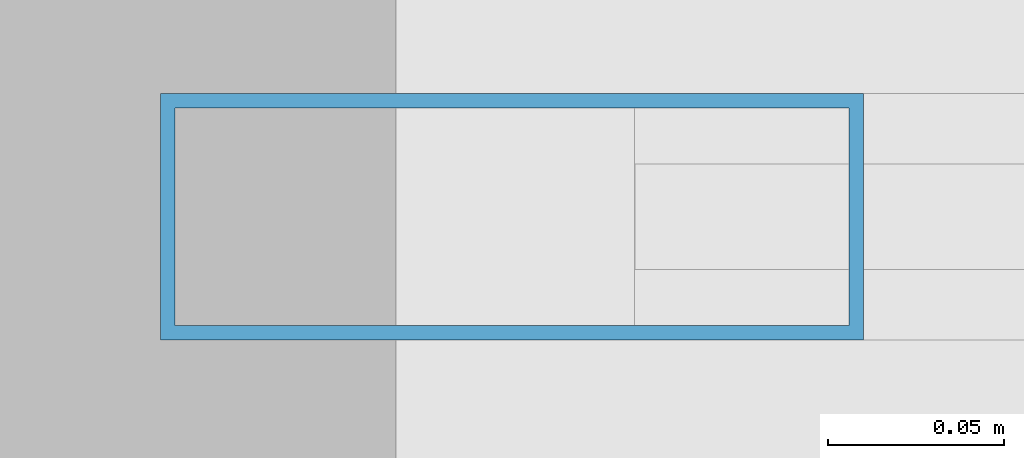
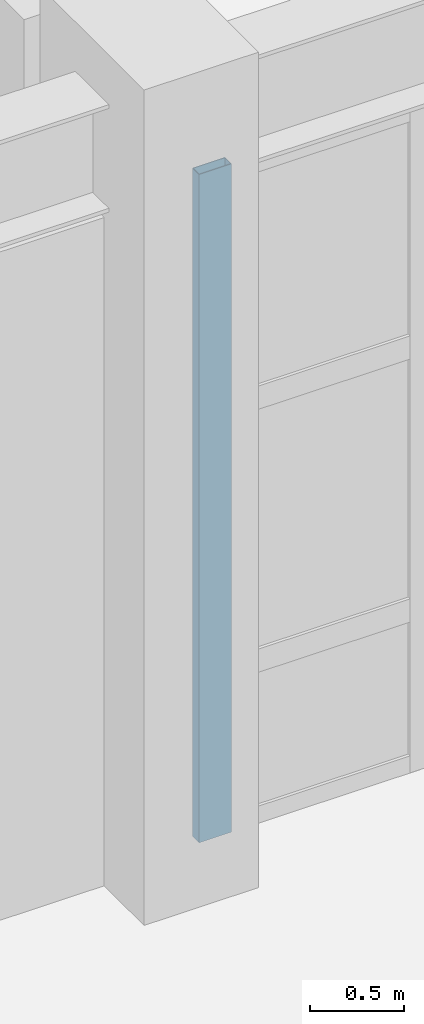
# One storey, part 18 of 91: 1 member, 1 element without a shape of its own.
"""IFC4 building model written with IfcOpenShell, lengths in metres."""

from ifc_helpers import new_model, si_unit, direction, frame, origin, origin_2d, place, context, subcontext, project, spatial, hollow_rectangle, extrude, material, layer, layer_set, material_profile, profile_set, type_object, element, aggregate, save


model = new_model("IFC4")

# Units and contexts
model_context = context("Model", 3, precision=1e-05, world=origin(), true_north=direction((0.0, 1.0)))
body_context = subcontext(model_context, "Body", "Model", "MODEL_VIEW")
ifc_project = project(units=[si_unit("LENGTHUNIT", "METRE"), si_unit("AREAUNIT", "SQUARE_METRE"), si_unit("VOLUMEUNIT", "CUBIC_METRE"), si_unit("PLANEANGLEUNIT", "RADIAN"), si_unit("MASSUNIT", "GRAM", prefix="KILO")], contexts=[model_context])

# Site, building, storey
site_placement = place(None, origin())
site = spatial("IfcSite", under=ifc_project, at=site_placement, CompositionType="ELEMENT")
building_placement = place(site_placement, origin())
building = spatial("IfcBuilding", under=site, at=building_placement, Name="Vaelkrest Opera House", CompositionType="ELEMENT")
storey_placement = place(building_placement, origin())
storey = spatial("IfcBuildingStorey", under=building, at=storey_placement, Name="L00", CompositionType="ELEMENT", Elevation=0.0)

# Curtain wall, member
ifc_material = material(Name="Dark bronze anodized aluminium", Category="aluminium")
ifc_layer = layer(ifc_material, 0.18994140625)
ifc_layer_set = layer_set([ifc_layer], Name="Dark bronze anodized aluminium")
curtain_wall_type = type_object("IfcCurtainWallType", Name="CW02", PredefinedType="NOTDEFINED", material=ifc_layer_set)
curtain_wall_placement = place(storey_placement, origin())
curtain_wall = element("IfcCurtainWall", 1, at=curtain_wall_placement, inside=storey, type_object=curtain_wall_type, Name="Curtain wall CW-L00-011", PredefinedType="NOTDEFINED")
ifc_material_profile = material_profile(ifc_material, hollow_rectangle(XDim=0.070068359375, YDim=0.199951171875, WallThickness=0.004150390625, at=origin_2d()), Name="CWM70X200")
ifc_profile_set = profile_set([ifc_material_profile], Name="Dark bronze anodized aluminium")
member_type = type_object("IfcMemberType", Name="CWM02", PredefinedType="MULLION", material=ifc_profile_set)
member_placement = place(storey_placement, frame((24.383056640625, -55.800048828125, 0.0), z_axis=(0.0, 0.0, 1.0), x_axis=(0.0, -1.0, 0.0)))
member = element("IfcMember", 2, at=member_placement, type_object=member_type, Name="CW02 mullion 5", PredefinedType="MULLION", context=body_context, shape_type="SweptSolid", body=[
    extrude(hollow_rectangle(XDim=0.070068359375, YDim=0.199951171875, WallThickness=0.004150390625, at=origin_2d()), origin(), (0.0, 0.0, 1.0), 4.320068359375),
])
aggregate(curtain_wall, [member])

save(model, "model.ifc")
